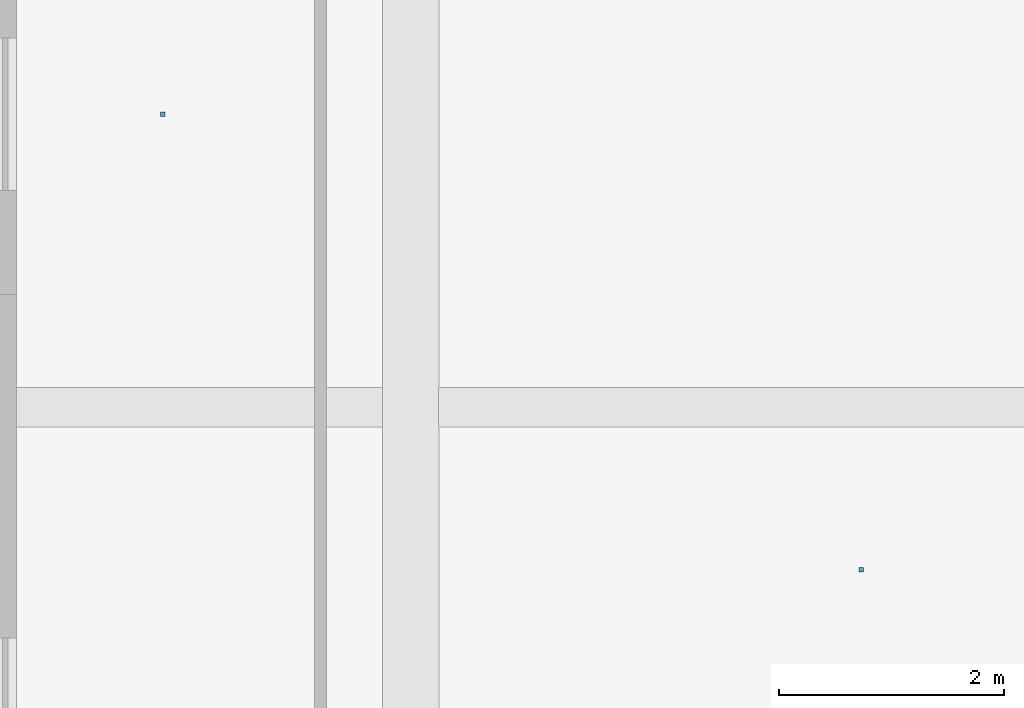
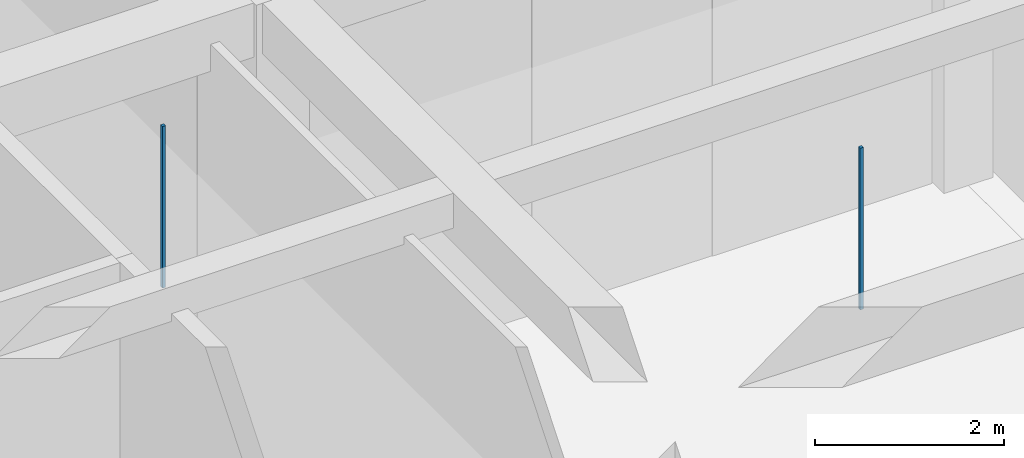
# One storey, part 114 of 157: 2 discrete accessories.
"""IFC4 building model written with IfcOpenShell, lengths in metres."""

import ifcopenshell
import ifcopenshell.guid

model = None  # the IFC model being written
_history = None  # IfcOwnerHistory: only IFC2X3 demands one
_inside = {}  # id of a spatial element -> (the spatial element, [elements in it])
_under = {}  # id of a project, library or spatial element -> (it, [spatial elements below it])
_declared = {}  # id of a project -> (the project, [libraries it declares])
_typed = {}  # id of a type object -> (the type object, [elements of that type])
_made_of = {}  # id of a material, layer set ... -> (it, [elements and type objects made of it])


def new_model(schema):
    """Start an empty IFC model of exactly this schema.

    Asked for "IFC4X3", IfcOpenShell would pick the latest addendum, in which some entities
    have other attributes; the version numbers below select the first issue.
    IFC2X3 requires an IfcOwnerHistory on every rooted entity: one is made here for all.
    """
    global model, _history
    if schema == "IFC4X3":
        model = ifcopenshell.file(schema_version=(4, 3, 0, 0))
    else:
        model = ifcopenshell.file(schema=schema)
    _inside.clear()
    _under.clear()
    _declared.clear()
    _typed.clear()
    _made_of.clear()
    _history = None
    if model.schema == "IFC2X3":
        org = make("IfcOrganization", Name="unknown")
        user = make(
            "IfcPersonAndOrganization",
            ThePerson=make("IfcPerson", FamilyName="unknown"),
            TheOrganization=org,
        )
        app = make(
            "IfcApplication",
            ApplicationDeveloper=org,
            Version="unknown",
            ApplicationFullName="unknown",
            ApplicationIdentifier="unknown",
        )
        _history = make(
            "IfcOwnerHistory",
            OwningUser=user,
            OwningApplication=app,
            ChangeAction="ADDED",
            CreationDate=0,
        )
    return model


def make(cls, **values):
    """One entity of the class cls with the attributes given. An attribute that is None is left unset."""
    return model.create_entity(
        cls, **{name: value for name, value in values.items() if value is not None}
    )


def rooted(cls, **values):
    """An entity with a GlobalId (a new one), such as an element, a storey or a relation."""
    return make(cls, GlobalId=ifcopenshell.guid.new(), OwnerHistory=_history, **values)


def si_unit(unit_type, name, prefix=None):
    """IfcSIUnit, for example si_unit("LENGTHUNIT", "METRE", prefix="MILLI")."""
    return make("IfcSIUnit", UnitType=unit_type, Prefix=prefix, Name=name)


def assignment(units):
    """IfcUnitAssignment: the units of a project."""
    return None if units is None else make("IfcUnitAssignment", Units=units)


def point(xyz):
    """IfcCartesianPoint."""
    return None if xyz is None else make("IfcCartesianPoint", Coordinates=xyz)


def direction(xyz):
    """IfcDirection."""
    return None if xyz is None else make("IfcDirection", DirectionRatios=xyz)


def frame(location, z_axis=None, x_axis=None):
    """IfcAxis2Placement3D, a coordinate frame: its origin and axes. An axis left out is left unset."""
    return make(
        "IfcAxis2Placement3D",
        Location=point(location),
        Axis=direction(z_axis),
        RefDirection=direction(x_axis),
    )


def frame_2d(location, x_axis=None):
    """IfcAxis2Placement2D, a coordinate frame in the plane: its origin and x axis."""
    return make(
        "IfcAxis2Placement2D", Location=point(location), RefDirection=direction(x_axis)
    )


def origin():
    """The frame at (0, 0, 0) with its axes left unset."""
    return frame((0.0, 0.0, 0.0))


def origin_2d():
    """The frame at (0, 0) in the plane with its x axis left unset."""
    return frame_2d((0.0, 0.0))


def place(relative_to, where):
    """IfcLocalPlacement: puts the frame where relative to a parent placement (None: the world)."""
    return make(
        "IfcLocalPlacement", PlacementRelTo=relative_to, RelativePlacement=where
    )


def context(
    kind, dimensions, precision=None, world=None, true_north=None, identifier=None
):
    """IfcGeometricRepresentationContext, for example the 3D "Model" context."""
    return make(
        "IfcGeometricRepresentationContext",
        ContextIdentifier=identifier,
        ContextType=kind,
        CoordinateSpaceDimension=dimensions,
        Precision=precision,
        WorldCoordinateSystem=world,
        TrueNorth=true_north,
    )


def subcontext(parent, identifier, kind, view, scale=None):
    """IfcGeometricRepresentationSubContext, for example "Body" below "Model"."""
    return make(
        "IfcGeometricRepresentationSubContext",
        ContextIdentifier=identifier,
        ContextType=kind,
        ParentContext=parent,
        TargetScale=scale,
        TargetView=view,
    )


def project(units=None, contexts=None):
    """IfcProject with its units and contexts."""
    return rooted(
        "IfcProject",
        Name="project",
        RepresentationContexts=contexts,
        UnitsInContext=assignment(units),
    )


def spatial(cls, under=None, at=None, **own):
    """A site, building, storey or space (cls), placed at a placement, below another one or the project."""
    s = rooted(cls, ObjectPlacement=at, **own)
    if under is not None:
        _under.setdefault(under.id(), (under, []))[1].append(s)
    return s


def profile(cls, at=None, kind="AREA", **sizes):
    """A parametric profile (cls). Its sizes go by their IFC names, for example OverallWidth=200.0."""
    return make(cls, ProfileType=kind, Position=at, **sizes)


def rectangle(**sizes):
    """IfcRectangleProfileDef."""
    return profile("IfcRectangleProfileDef", **sizes)


def extrude(swept, where, along, depth):
    """IfcExtrudedAreaSolid: the profile swept, set in the frame where, extruded along a direction by depth."""
    return make(
        "IfcExtrudedAreaSolid",
        SweptArea=swept,
        Position=where,
        ExtrudedDirection=direction(along),
        Depth=depth,
    )


def shape(context_of_items, identifier, shape_type, items):
    """IfcShapeRepresentation: the items that make up one representation, for example the "Body"."""
    return make(
        "IfcShapeRepresentation",
        ContextOfItems=context_of_items,
        RepresentationIdentifier=identifier,
        RepresentationType=shape_type,
        Items=items,
    )


def material(Name=None, Category=None):
    """IfcMaterial."""
    return make("IfcMaterial", Name=Name, Category=Category)


def made_of(thing, what):
    """Note that an element or type object is made of a material, layer set ...; save() writes the relation."""
    if what is not None:
        _made_of.setdefault(what.id(), (what, []))[1].append(thing)
    return thing


def type_object(cls, material=None, **own):
    """A type object (cls), such as IfcWallType, which elements share."""
    return made_of(rooted(cls, **own), material)


def element(
    cls,
    number,
    at=None,
    inside=None,
    cuts=None,
    type_object=None,
    material=None,
    context=None,
    identifier="Body",
    shape_type=None,
    held_by="IfcProductDefinitionShape",
    body=None,
    shapes=None,
    **own,
):
    """One element of the class cls, such as IfcWall. Its Tag is "e" and its number.

    at: its placement. inside: the storey or other place that contains it. cuts: it is an
    opening in that element (IfcRelVoidsElement). A single representation is given by context,
    identifier, shape_type and body (its items); several are given by shapes. held_by: the class
    of the entity that holds the representations. save() writes the other relations.
    """
    e = rooted(cls, Tag="e%d" % number, ObjectPlacement=at, **own)
    if body is not None:
        shapes = [shape(context, identifier, shape_type, body)]
    if shapes is not None:
        e.Representation = make(held_by, Representations=shapes)
    if inside is not None:
        _inside.setdefault(inside.id(), (inside, []))[1].append(e)
    if cuts is not None:
        rooted(
            "IfcRelVoidsElement", RelatingBuildingElement=cuts, RelatedOpeningElement=e
        )
    if type_object is not None:
        _typed.setdefault(type_object.id(), (type_object, []))[1].append(e)
    return made_of(e, material)


def aggregate(whole, parts):
    """IfcRelAggregates: a whole, such as a stair, and the parts it consists of."""
    return rooted("IfcRelAggregates", RelatingObject=whole, RelatedObjects=parts)


def save(model, path):
    """Write the relations noted so far, then the file.

    IfcRelAggregates (storeys below a building ...), IfcRelContainedInSpatialStructure (elements
    in a storey), IfcRelDefinesByType, IfcRelAssociatesMaterial and IfcRelDeclares: one each for
    every whole, place, type object, material and project.
    """
    for whole, parts in _under.values():
        aggregate(whole, parts)
    for where, things in _inside.values():
        rooted(
            "IfcRelContainedInSpatialStructure",
            RelatedElements=things,
            RelatingStructure=where,
        )
    for kind, things in _typed.values():
        rooted("IfcRelDefinesByType", RelatedObjects=things, RelatingType=kind)
    for what, things in _made_of.values():
        rooted("IfcRelAssociatesMaterial", RelatedObjects=things, RelatingMaterial=what)
    for by, libraries in _declared.values():
        rooted("IfcRelDeclares", RelatingContext=by, RelatedDefinitions=libraries)
    model.write(path)


model = new_model("IFC4")

# Units and contexts
model_context = context("Model", 3, precision=1e-05, world=origin(), true_north=direction((0.0, 1.0)))
body_context = subcontext(model_context, "Body", "Model", "MODEL_VIEW")
ifc_project = project(units=[si_unit("LENGTHUNIT", "METRE"), si_unit("AREAUNIT", "SQUARE_METRE"), si_unit("VOLUMEUNIT", "CUBIC_METRE"), si_unit("PLANEANGLEUNIT", "RADIAN"), si_unit("MASSUNIT", "GRAM", prefix="KILO")], contexts=[model_context])

# Site, building, storey
site_placement = place(None, origin())
site = spatial("IfcSite", under=ifc_project, at=site_placement, CompositionType="ELEMENT")
building_placement = place(site_placement, origin())
building = spatial("IfcBuilding", under=site, at=building_placement, Name="Varncliffe General Hospital", CompositionType="ELEMENT")
storey_placement = place(building_placement, frame((0.0, 0.0, 5.39990234375)))
storey = spatial("IfcBuildingStorey", under=building, at=storey_placement, Name="L01", CompositionType="ELEMENT", Elevation=5.39990234375)

# Discrete accessories
ifc_material = material(Name="Powder-coated hospital steel guardrail and handrail", Category="steel")
discrete_accessory_type = type_object("IfcDiscreteAccessoryType", Name="Suspended Ceiling Hanger Bracket CH01", PredefinedType="BRACKET", material=ifc_material)
for number, where, z_axis, x_axis, name in (
    (1, (14.60009765625, 98.0, 3.18994140625), (0.0, 0.0, 1.0), (1.0, 0.0, 0.0), "L01 Suspended Ceiling Hanger 117"),
    (2, (20.800048828125, 93.95751953125, 3.18994140625), (0.0, 0.0, 1.0), (1.0, 0.0, 0.0), "L01 Suspended Ceiling Hanger 158"),
):
    element("IfcDiscreteAccessory", number, at=place(storey_placement, frame(where, z_axis=z_axis, x_axis=x_axis)), inside=storey, type_object=discrete_accessory_type, Name=name, PredefinedType="BRACKET", context=body_context, shape_type="SweptSolid", body=[
        extrude(rectangle(XDim=0.0400390625, YDim=0.0400390625, at=origin_2d()), origin(), (0.0, 0.0, 1.0), 2.090087890625),
    ])

save(model, "model.ifc")
